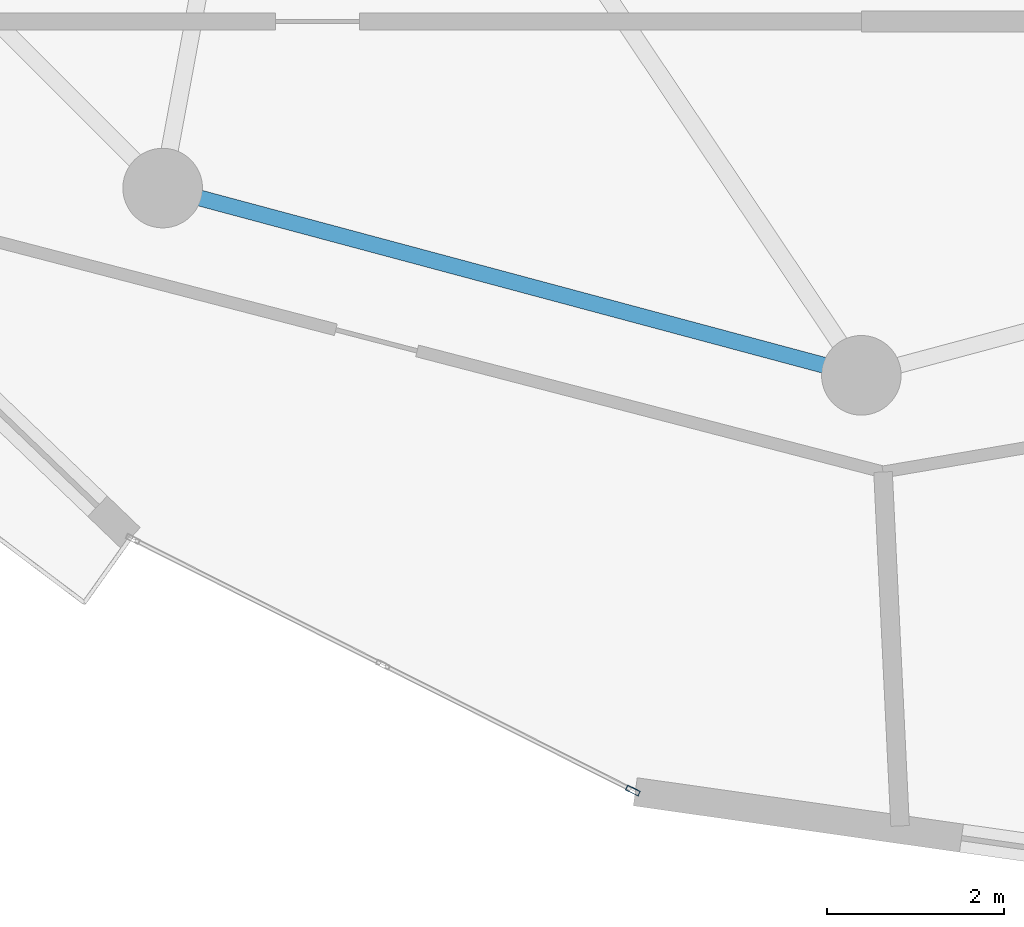
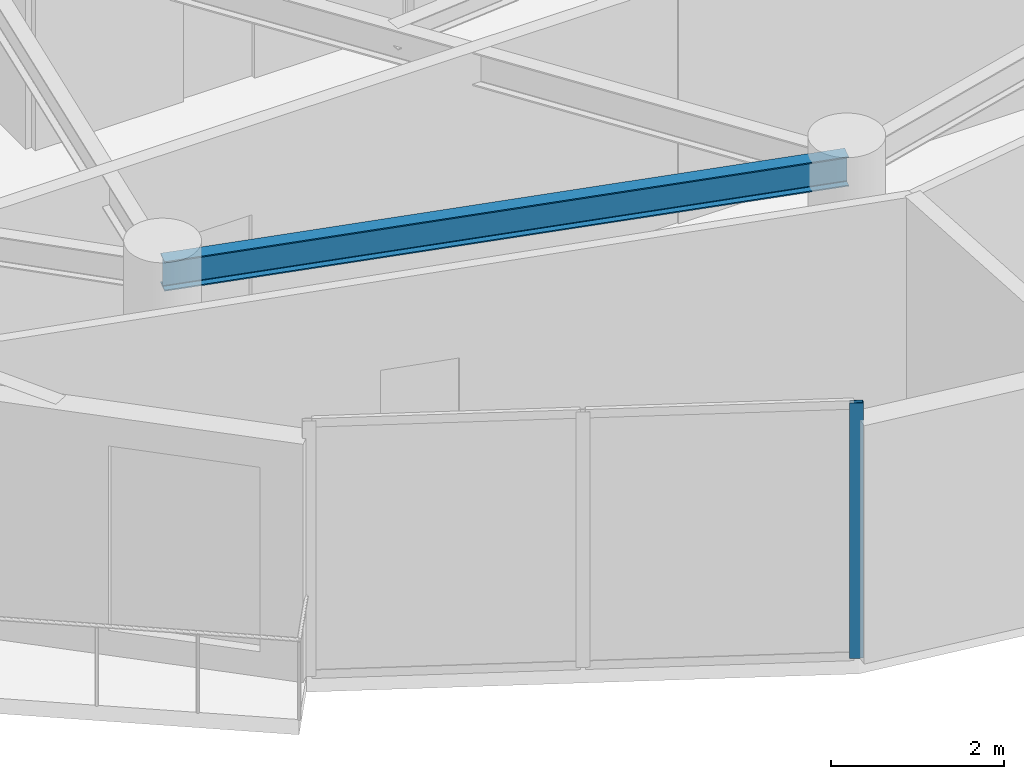
# One storey, part 4 of 19: 1 beam, 1 member, 1 element without a shape of its own.
"""IFC4 building model written with IfcOpenShell, lengths in metres."""

from ifc_helpers import new_model, si_unit, direction, frame, origin, origin_2d, place, context, subcontext, project, spatial, hollow_rectangle, i_section, extrude, source, transform, mapped, material, layer, layer_set, material_profile, profile_set, type_object, element, aggregate, save


model = new_model("IFC4")

# Units and contexts
model_context = context("Model", 3, precision=1e-05, world=origin(), true_north=direction((0.0, 1.0)))
body_context = subcontext(model_context, "Body", "Model", "MODEL_VIEW")
ifc_project = project(units=[si_unit("LENGTHUNIT", "METRE"), si_unit("AREAUNIT", "SQUARE_METRE"), si_unit("VOLUMEUNIT", "CUBIC_METRE"), si_unit("PLANEANGLEUNIT", "RADIAN"), si_unit("MASSUNIT", "GRAM", prefix="KILO")], contexts=[model_context])

# Site, building, storey
site_placement = place(None, origin())
site = spatial("IfcSite", under=ifc_project, at=site_placement, CompositionType="ELEMENT")
building_placement = place(site_placement, origin())
building = spatial("IfcBuilding", under=site, at=building_placement, Name="Solvirekh Grand Hotel", CompositionType="ELEMENT")
storey_placement = place(building_placement, frame((0.0, 0.0, 212.800048828125)))
storey = spatial("IfcBuildingStorey", under=building, at=storey_placement, Name="L55", CompositionType="ELEMENT", Elevation=212.800048828125)

# Beam
ifc_material_1 = material(Name="Steel S355", Category="steel")
ifc_material_profile_1 = material_profile(ifc_material_1, i_section(OverallWidth=0.180908203125, OverallDepth=0.4169921875, WebThickness=0.010009765625, FlangeThickness=0.01611328125, FilletRadius=0.011962890625, at=origin_2d()), Name="W410X85")
ifc_profile_set_1 = profile_set([ifc_material_profile_1], Name="Steel S355")
beam_type = type_object("IfcBeamType", Name="Spandrel_Ring_W410", PredefinedType="SPANDREL", material=ifc_profile_set_1)
beam_placement = place(storey_placement, frame((-7.89990234375, -13.68310546875, 3.15185546875), z_axis=(0.965920601923, -0.258838541915, 0.0), x_axis=(0.258838541915, 0.965920601923, 0.0)))
element("IfcBeam", 1, at=beam_placement, inside=storey, type_object=beam_type, Name="L55 perimeter spandrel beam 9", PredefinedType="SPANDREL", context=body_context, shape_type="SweptSolid", body=[
    extrude(i_section(OverallWidth=0.180908203125, OverallDepth=0.4169921875, WebThickness=0.010009765625, FlangeThickness=0.01611328125, FilletRadius=0.011962890625, at=origin_2d()), origin(), (0.0, 0.0, 1.0), 8.1787109375),
])

# Curtain wall, member
ifc_material_2 = material(Name="Anodized Bronze Aluminium 6063-T6", Category="aluminium")
ifc_layer = layer(ifc_material_2, 0.159912109375)
ifc_layer_set = layer_set([ifc_layer], Name="Anodized Bronze Aluminium 6063-T6")
curtain_wall_type = type_object("IfcCurtainWallType", Name="CW_Sys4_HighZoneFlushBronzeCW", PredefinedType="NOTDEFINED", material=ifc_layer_set)
curtain_wall_placement = place(storey_placement, origin())
curtain_wall = element("IfcCurtainWall", 2, at=curtain_wall_placement, inside=storey, type_object=curtain_wall_type, Name="L55 unitised bronze-glass curtain wall CW-L55-C18", PredefinedType="NOTDEFINED")
ifc_material_profile_2 = material_profile(ifc_material_2, hollow_rectangle(XDim=0.06005859375, YDim=0.159912109375, WallThickness=0.0048828125, at=origin_2d()), Name="ALU RHS 160X60X5")
ifc_profile_set_2 = profile_set([ifc_material_profile_2], Name="Anodized Bronze Aluminium 6063-T6")
member_type = type_object("IfcMemberType", Name="CWMullion_Sys4", PredefinedType="MULLION", material=ifc_profile_set_2)
shared_shape = source(origin(), body_context, "Body", "SweptSolid", [
    extrude(hollow_rectangle(XDim=0.06005859375, YDim=0.159912109375, WallThickness=0.0048828125, at=origin_2d()), origin(), (0.0, 0.0, 1.0), 3.599853515625),
])
member_placement = place(storey_placement, frame((-2.582763671875, -20.49560546875, 0.0), z_axis=(0.0, 0.0, 1.0), x_axis=(0.449340868249, 0.893360388713, 0.0)))
member = element("IfcMember", 3, at=member_placement, type_object=member_type, Name="U04 mullion 3", PredefinedType="MULLION", context=body_context, shape_type="MappedRepresentation", body=[
    mapped(shared_shape, transform((0.0, 0.0, 0.0), x_axis=(1.0, 0.0, 0.0), y_axis=(0.0, 1.0, 0.0), z_axis=(0.0, 0.0, 1.0), scale=1.0)),
])
aggregate(curtain_wall, [member])

save(model, "model.ifc")
